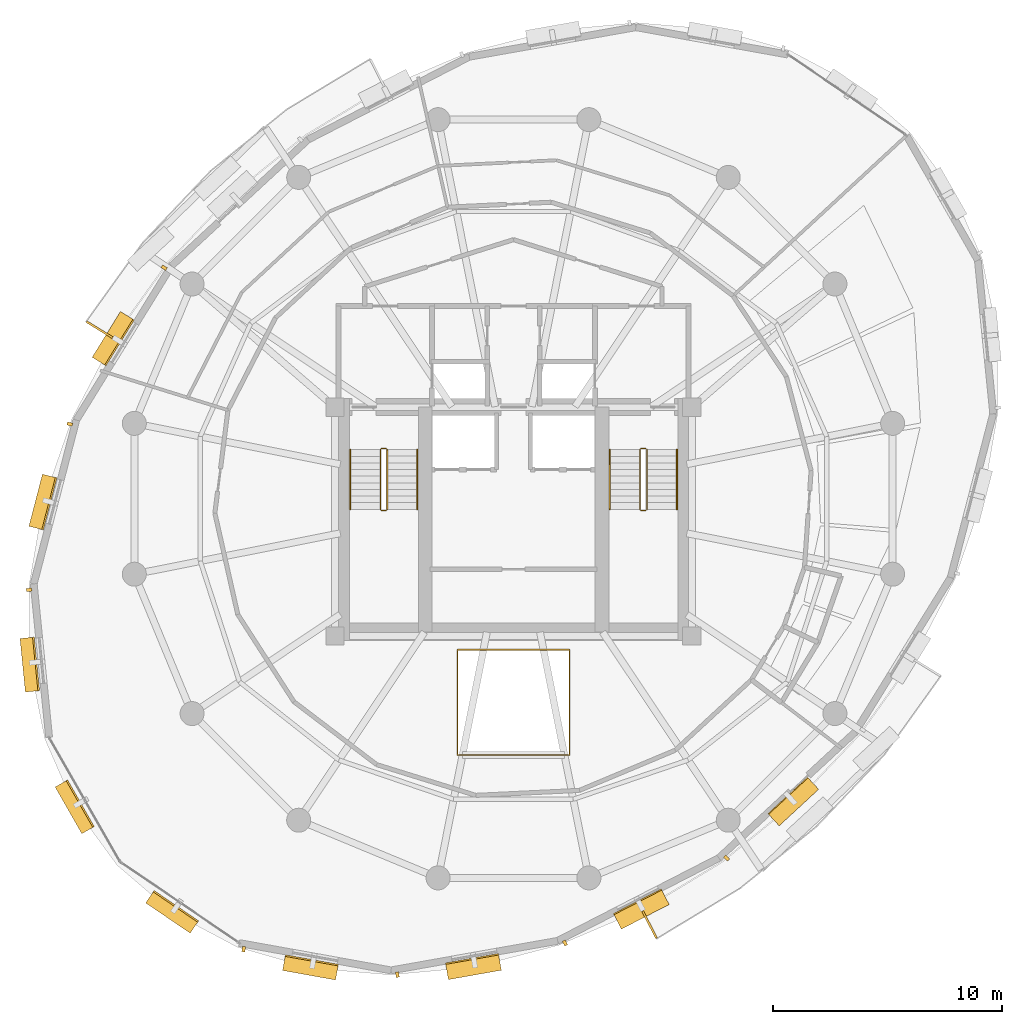
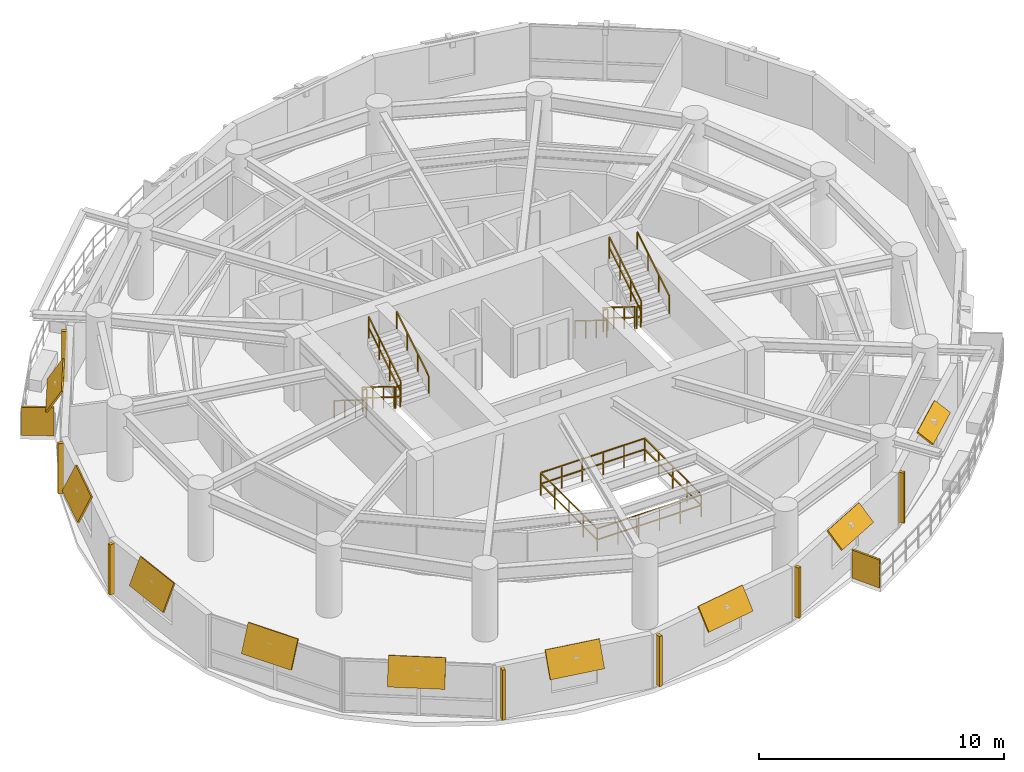
# One storey, part 11 of 12: 18 shading devices, 13 railings.
"""IFC4 building model written with IfcOpenShell, lengths in metres."""

from ifc_helpers import new_model, si_unit, direction, frame, origin, origin_2d, place, context, subcontext, project, spatial, rectangle, extrude, material, layer, layer_set, type_object, element, save


model = new_model("IFC4")

# Units and contexts
model_context = context("Model", 3, precision=1e-05, world=origin(), true_north=direction((0.0, 1.0)))
body_context = subcontext(model_context, "Body", "Model", "MODEL_VIEW")
ifc_project = project(units=[si_unit("LENGTHUNIT", "METRE"), si_unit("AREAUNIT", "SQUARE_METRE"), si_unit("VOLUMEUNIT", "CUBIC_METRE"), si_unit("PLANEANGLEUNIT", "RADIAN"), si_unit("MASSUNIT", "GRAM", prefix="KILO"), si_unit("THERMODYNAMICTEMPERATUREUNIT", "KELVIN"), si_unit("POWERUNIT", "WATT")], contexts=[model_context])

# Site, building, storey
site_placement = place(None, origin())
site = spatial("IfcSite", under=ifc_project, at=site_placement, CompositionType="ELEMENT")
building_placement = place(site_placement, origin())
building = spatial("IfcBuilding", under=site, at=building_placement, Name="Ocrelia Relay Tower", CompositionType="ELEMENT")
storey_placement = place(building_placement, frame((0.0, 0.0, 209.60009765625)))
storey = spatial("IfcBuildingStorey", under=building, at=storey_placement, Name="L51", CompositionType="ELEMENT", Elevation=209.60009765625)

# Railings
ifc_material_1 = material(Name="Steel S355 atrium balustrade", Category="steel")
railing_type_1 = type_object("IfcRailingType", Name="RL-INT-GUARD-115", PredefinedType="GUARDRAIL", material=ifc_material_1)
railing_1_placement = place(storey_placement, frame((31.550048828125, 14.800048828125, 0.0)))
element("IfcRailing", 1, at=railing_1_placement, inside=storey, type_object=railing_type_1, Name="L51 Multi-Zone Interior Atrium Guard", PredefinedType="GUARDRAIL", context=body_context, shape_type="SweptSolid", body=[
    extrude(rectangle(XDim=0.048095703125, YDim=0.048095703125, at=origin_2d()), frame((0.0, 0.0, 1.1259765625), z_axis=(1.0, 0.0, 0.0), x_axis=(0.0, 1.0, 0.0)), (0.0, 0.0, 1.0), 4.89990234375),
    extrude(rectangle(XDim=0.048095703125, YDim=0.048095703125, at=origin_2d()), frame((0.0, 0.0, 0.574951171875), z_axis=(1.0, 0.0, 0.0), x_axis=(0.0, 1.0, 0.0)), (0.0, 0.0, 1.0), 4.89990234375),
    extrude(rectangle(XDim=0.048095703125, YDim=0.048095703125, at=origin_2d()), frame((4.89990234375, 0.0, 1.1259765625), z_axis=(0.0, 1.0, 0.0), x_axis=(-1.0, 0.0, 0.0)), (0.0, 0.0, 1.0), 4.599853515625),
    extrude(rectangle(XDim=0.048095703125, YDim=0.048095703125, at=origin_2d()), frame((4.89990234375, 0.0, 0.574951171875), z_axis=(0.0, 1.0, 0.0), x_axis=(-1.0, 0.0, 0.0)), (0.0, 0.0, 1.0), 4.599853515625),
    extrude(rectangle(XDim=0.048095703125, YDim=0.048095703125, at=origin_2d()), frame((4.89990234375, 4.599853515625, 1.1259765625), z_axis=(-1.0, 0.0, 0.0), x_axis=(0.0, -1.0, 0.0)), (0.0, 0.0, 1.0), 4.89990234375),
    extrude(rectangle(XDim=0.048095703125, YDim=0.048095703125, at=origin_2d()), frame((4.89990234375, 4.599853515625, 0.574951171875), z_axis=(-1.0, 0.0, 0.0), x_axis=(0.0, -1.0, 0.0)), (0.0, 0.0, 1.0), 4.89990234375),
    extrude(rectangle(XDim=0.048095703125, YDim=0.048095703125, at=origin_2d()), frame((0.0, 4.599853515625, 1.1259765625), z_axis=(0.0, -1.0, 0.0), x_axis=(1.0, 0.0, 0.0)), (0.0, 0.0, 1.0), 4.599853515625),
    extrude(rectangle(XDim=0.048095703125, YDim=0.048095703125, at=origin_2d()), frame((0.0, 4.599853515625, 0.574951171875), z_axis=(0.0, -1.0, 0.0), x_axis=(1.0, 0.0, 0.0)), (0.0, 0.0, 1.0), 4.599853515625),
    extrude(rectangle(XDim=0.0419921875, YDim=0.0419921875, at=origin_2d()), origin(), (0.0, 0.0, 1.0), 1.101806640625),
    extrude(rectangle(XDim=0.0419921875, YDim=0.0419921875, at=origin_2d()), frame((0.97998046875, 0.0, 0.0)), (0.0, 0.0, 1.0), 1.101806640625),
    extrude(rectangle(XDim=0.0419921875, YDim=0.0419921875, at=origin_2d()), frame((1.9599609375, 0.0, 0.0)), (0.0, 0.0, 1.0), 1.101806640625),
    extrude(rectangle(XDim=0.0419921875, YDim=0.0419921875, at=origin_2d()), frame((2.93994140625, 0.0, 0.0)), (0.0, 0.0, 1.0), 1.101806640625),
    extrude(rectangle(XDim=0.0419921875, YDim=0.0419921875, at=origin_2d()), frame((3.919921875, 0.0, 0.0)), (0.0, 0.0, 1.0), 1.101806640625),
    extrude(rectangle(XDim=0.0419921875, YDim=0.0419921875, at=origin_2d()), frame((4.89990234375, 0.0, 0.0)), (0.0, 0.0, 1.0), 1.101806640625),
    extrude(rectangle(XDim=0.0419921875, YDim=0.0419921875, at=origin_2d()), frame((4.89990234375, 1.14990234375, 0.0)), (0.0, 0.0, 1.0), 1.101806640625),
    extrude(rectangle(XDim=0.0419921875, YDim=0.0419921875, at=origin_2d()), frame((4.89990234375, 2.2998046875, 0.0)), (0.0, 0.0, 1.0), 1.101806640625),
    extrude(rectangle(XDim=0.0419921875, YDim=0.0419921875, at=origin_2d()), frame((4.89990234375, 3.449951171875, 0.0)), (0.0, 0.0, 1.0), 1.101806640625),
    extrude(rectangle(XDim=0.0419921875, YDim=0.0419921875, at=origin_2d()), frame((4.89990234375, 4.599853515625, 0.0)), (0.0, 0.0, 1.0), 1.101806640625),
    extrude(rectangle(XDim=0.0419921875, YDim=0.0419921875, at=origin_2d()), frame((3.919921875, 4.599853515625, 0.0)), (0.0, 0.0, 1.0), 1.101806640625),
    extrude(rectangle(XDim=0.0419921875, YDim=0.0419921875, at=origin_2d()), frame((2.93994140625, 4.599853515625, 0.0)), (0.0, 0.0, 1.0), 1.101806640625),
    extrude(rectangle(XDim=0.0419921875, YDim=0.0419921875, at=origin_2d()), frame((1.9599609375, 4.599853515625, 0.0)), (0.0, 0.0, 1.0), 1.101806640625),
    extrude(rectangle(XDim=0.0419921875, YDim=0.0419921875, at=origin_2d()), frame((0.97998046875, 4.599853515625, 0.0)), (0.0, 0.0, 1.0), 1.101806640625),
    extrude(rectangle(XDim=0.0419921875, YDim=0.0419921875, at=origin_2d()), frame((0.0, 4.599853515625, 0.0)), (0.0, 0.0, 1.0), 1.101806640625),
    extrude(rectangle(XDim=0.0419921875, YDim=0.0419921875, at=origin_2d()), frame((0.0, 3.449951171875, 0.0)), (0.0, 0.0, 1.0), 1.101806640625),
    extrude(rectangle(XDim=0.0419921875, YDim=0.0419921875, at=origin_2d()), frame((0.0, 2.2998046875, 0.0)), (0.0, 0.0, 1.0), 1.101806640625),
    extrude(rectangle(XDim=0.0419921875, YDim=0.0419921875, at=origin_2d()), frame((0.0, 1.14990234375, 0.0)), (0.0, 0.0, 1.0), 1.101806640625),
])
ifc_material_2 = material(Name="Steel S355 balustrade", Category="steel")
railing_type_2 = type_object("IfcRailingType", Name="RL-STAIR-GUARD", PredefinedType="GUARDRAIL", material=ifc_material_2)
railing_2_placement = place(storey_placement, frame((28.179931640625, 28.14990234375, 0.179931640625)))
element("IfcRailing", 2, at=railing_2_placement, inside=storey, type_object=railing_type_2, Name="L51 ST1 stair guard 1", PredefinedType="GUARDRAIL", context=body_context, shape_type="SweptSolid", body=[
    extrude(rectangle(XDim=0.048095703125, YDim=0.048095703125, at=origin_2d()), frame((0.0, 0.0, 1.076171875), z_axis=(0.0, -0.849646306263, 0.527352969322), x_axis=(1.0, 0.0, 0.0)), (0.0, 0.0, 1.0), 3.07177734375),
    extrude(rectangle(XDim=0.048095703125, YDim=0.048095703125, at=origin_2d()), frame((0.0, 0.0, 0.550048828125), z_axis=(0.0, -0.849646306263, 0.527352969322), x_axis=(1.0, 0.0, 0.0)), (0.0, 0.0, 1.0), 3.07177734375),
    extrude(rectangle(XDim=0.0419921875, YDim=0.0419921875, at=origin_2d()), origin(), (0.0, 0.0, 1.0), 1.052001953125),
    extrude(rectangle(XDim=0.0419921875, YDim=0.0419921875, at=origin_2d()), frame((0.0, -0.869873046875, 0.5400390625)), (0.0, 0.0, 1.0), 1.052001953125),
    extrude(rectangle(XDim=0.0419921875, YDim=0.0419921875, at=origin_2d()), frame((0.0, -1.739990234375, 1.079833984375)), (0.0, 0.0, 1.0), 1.052001953125),
    extrude(rectangle(XDim=0.0419921875, YDim=0.0419921875, at=origin_2d()), frame((0.0, -2.60986328125, 1.619873046875)), (0.0, 0.0, 1.0), 1.052001953125),
])
railing_3_placement = place(storey_placement, frame((28.22998046875, 25.489990234375, 1.7998046875)))
element("IfcRailing", 3, at=railing_3_placement, inside=storey, type_object=railing_type_2, Name="L51 ST1 stair guard 2", PredefinedType="GUARDRAIL", context=body_context, shape_type="SweptSolid", body=[
    extrude(rectangle(XDim=0.048095703125, YDim=0.048095703125, at=origin_2d()), frame((0.0, 0.0, 1.076171875), z_axis=(1.0, 0.0, 0.0), x_axis=(0.0, 1.0, 0.0)), (0.0, 0.0, 1.0), 0.199951171875),
    extrude(rectangle(XDim=0.048095703125, YDim=0.048095703125, at=origin_2d()), frame((0.0, 0.0, 0.550048828125), z_axis=(1.0, 0.0, 0.0), x_axis=(0.0, 1.0, 0.0)), (0.0, 0.0, 1.0), 0.199951171875),
    extrude(rectangle(XDim=0.0419921875, YDim=0.0419921875, at=origin_2d()), origin(), (0.0, 0.0, 1.0), 1.052001953125),
    extrude(rectangle(XDim=0.0419921875, YDim=0.0419921875, at=origin_2d()), frame((0.199951171875, 0.0, 0.0)), (0.0, 0.0, 1.0), 1.052001953125),
])
railing_4_placement = place(storey_placement, frame((28.47998046875, 25.5400390625, 1.97998046875)))
element("IfcRailing", 4, at=railing_4_placement, inside=storey, type_object=railing_type_2, Name="L51 ST1 stair guard 3", PredefinedType="GUARDRAIL", context=body_context, shape_type="SweptSolid", body=[
    extrude(rectangle(XDim=0.048095703125, YDim=0.048095703125, at=origin_2d()), frame((0.0, 0.0, 1.076171875), z_axis=(0.0, 0.849646306263, 0.527352969322), x_axis=(-1.0, 0.0, 0.0)), (0.0, 0.0, 1.0), 3.07177734375),
    extrude(rectangle(XDim=0.048095703125, YDim=0.048095703125, at=origin_2d()), frame((0.0, 0.0, 0.550048828125), z_axis=(0.0, 0.849646306263, 0.527352969322), x_axis=(-1.0, 0.0, 0.0)), (0.0, 0.0, 1.0), 3.07177734375),
    extrude(rectangle(XDim=0.0419921875, YDim=0.0419921875, at=origin_2d()), origin(), (0.0, 0.0, 1.0), 1.052001953125),
    extrude(rectangle(XDim=0.0419921875, YDim=0.0419921875, at=origin_2d()), frame((0.0, 0.869873046875, 0.5400390625)), (0.0, 0.0, 1.0), 1.052001953125),
    extrude(rectangle(XDim=0.0419921875, YDim=0.0419921875, at=origin_2d()), frame((0.0, 1.739990234375, 1.079833984375)), (0.0, 0.0, 1.0), 1.052001953125),
    extrude(rectangle(XDim=0.0419921875, YDim=0.0419921875, at=origin_2d()), frame((0.0, 2.60986328125, 1.619873046875)), (0.0, 0.0, 1.0), 1.052001953125),
])
railing_5_placement = place(storey_placement, frame((28.22998046875, 28.199951171875, 0.0)))
element("IfcRailing", 5, at=railing_5_placement, inside=storey, type_object=railing_type_2, Name="L51 ST1 stair guard 4", PredefinedType="GUARDRAIL", context=body_context, shape_type="SweptSolid", body=[
    extrude(rectangle(XDim=0.048095703125, YDim=0.048095703125, at=origin_2d()), frame((0.0, 0.0, 1.076171875), z_axis=(1.0, 0.0, 0.0), x_axis=(0.0, 1.0, 0.0)), (0.0, 0.0, 1.0), 0.199951171875),
    extrude(rectangle(XDim=0.048095703125, YDim=0.048095703125, at=origin_2d()), frame((0.0, 0.0, 0.550048828125), z_axis=(1.0, 0.0, 0.0), x_axis=(0.0, 1.0, 0.0)), (0.0, 0.0, 1.0), 0.199951171875),
    extrude(rectangle(XDim=0.0419921875, YDim=0.0419921875, at=origin_2d()), origin(), (0.0, 0.0, 1.0), 1.052001953125),
    extrude(rectangle(XDim=0.0419921875, YDim=0.0419921875, at=origin_2d()), frame((0.199951171875, 0.0, 0.0)), (0.0, 0.0, 1.0), 1.052001953125),
])
railing_6_placement = place(storey_placement, frame((39.530029296875, 28.14990234375, 0.179931640625)))
element("IfcRailing", 6, at=railing_6_placement, inside=storey, type_object=railing_type_2, Name="L51 ST2 stair guard 1", PredefinedType="GUARDRAIL", context=body_context, shape_type="SweptSolid", body=[
    extrude(rectangle(XDim=0.048095703125, YDim=0.048095703125, at=origin_2d()), frame((0.0, 0.0, 1.076171875), z_axis=(0.0, -0.849646306263, 0.527352969322), x_axis=(1.0, 0.0, 0.0)), (0.0, 0.0, 1.0), 3.07177734375),
    extrude(rectangle(XDim=0.048095703125, YDim=0.048095703125, at=origin_2d()), frame((0.0, 0.0, 0.550048828125), z_axis=(0.0, -0.849646306263, 0.527352969322), x_axis=(1.0, 0.0, 0.0)), (0.0, 0.0, 1.0), 3.07177734375),
    extrude(rectangle(XDim=0.0419921875, YDim=0.0419921875, at=origin_2d()), origin(), (0.0, 0.0, 1.0), 1.052001953125),
    extrude(rectangle(XDim=0.0419921875, YDim=0.0419921875, at=origin_2d()), frame((0.0, -0.869873046875, 0.5400390625)), (0.0, 0.0, 1.0), 1.052001953125),
    extrude(rectangle(XDim=0.0419921875, YDim=0.0419921875, at=origin_2d()), frame((0.0, -1.739990234375, 1.079833984375)), (0.0, 0.0, 1.0), 1.052001953125),
    extrude(rectangle(XDim=0.0419921875, YDim=0.0419921875, at=origin_2d()), frame((0.0, -2.60986328125, 1.619873046875)), (0.0, 0.0, 1.0), 1.052001953125),
])
railing_7_placement = place(storey_placement, frame((39.580078125, 25.489990234375, 1.7998046875)))
element("IfcRailing", 7, at=railing_7_placement, inside=storey, type_object=railing_type_2, Name="L51 ST2 stair guard 2", PredefinedType="GUARDRAIL", context=body_context, shape_type="SweptSolid", body=[
    extrude(rectangle(XDim=0.048095703125, YDim=0.048095703125, at=origin_2d()), frame((0.0, 0.0, 1.076171875), z_axis=(1.0, 0.0, 0.0), x_axis=(0.0, 1.0, 0.0)), (0.0, 0.0, 1.0), 0.199951171875),
    extrude(rectangle(XDim=0.048095703125, YDim=0.048095703125, at=origin_2d()), frame((0.0, 0.0, 0.550048828125), z_axis=(1.0, 0.0, 0.0), x_axis=(0.0, 1.0, 0.0)), (0.0, 0.0, 1.0), 0.199951171875),
    extrude(rectangle(XDim=0.0419921875, YDim=0.0419921875, at=origin_2d()), origin(), (0.0, 0.0, 1.0), 1.052001953125),
    extrude(rectangle(XDim=0.0419921875, YDim=0.0419921875, at=origin_2d()), frame((0.199951171875, 0.0, 0.0)), (0.0, 0.0, 1.0), 1.052001953125),
])
railing_8_placement = place(storey_placement, frame((39.830078125, 25.5400390625, 1.97998046875)))
element("IfcRailing", 8, at=railing_8_placement, inside=storey, type_object=railing_type_2, Name="L51 ST2 stair guard 3", PredefinedType="GUARDRAIL", context=body_context, shape_type="SweptSolid", body=[
    extrude(rectangle(XDim=0.048095703125, YDim=0.048095703125, at=origin_2d()), frame((0.0, 0.0, 1.076171875), z_axis=(0.0, 0.849646306263, 0.527352969322), x_axis=(-1.0, 0.0, 0.0)), (0.0, 0.0, 1.0), 3.07177734375),
    extrude(rectangle(XDim=0.048095703125, YDim=0.048095703125, at=origin_2d()), frame((0.0, 0.0, 0.550048828125), z_axis=(0.0, 0.849646306263, 0.527352969322), x_axis=(-1.0, 0.0, 0.0)), (0.0, 0.0, 1.0), 3.07177734375),
    extrude(rectangle(XDim=0.0419921875, YDim=0.0419921875, at=origin_2d()), origin(), (0.0, 0.0, 1.0), 1.052001953125),
    extrude(rectangle(XDim=0.0419921875, YDim=0.0419921875, at=origin_2d()), frame((0.0, 0.869873046875, 0.5400390625)), (0.0, 0.0, 1.0), 1.052001953125),
    extrude(rectangle(XDim=0.0419921875, YDim=0.0419921875, at=origin_2d()), frame((0.0, 1.739990234375, 1.079833984375)), (0.0, 0.0, 1.0), 1.052001953125),
    extrude(rectangle(XDim=0.0419921875, YDim=0.0419921875, at=origin_2d()), frame((0.0, 2.60986328125, 1.619873046875)), (0.0, 0.0, 1.0), 1.052001953125),
])
railing_9_placement = place(storey_placement, frame((39.580078125, 28.199951171875, 0.0)))
element("IfcRailing", 9, at=railing_9_placement, inside=storey, type_object=railing_type_2, Name="L51 ST2 stair guard 4", PredefinedType="GUARDRAIL", context=body_context, shape_type="SweptSolid", body=[
    extrude(rectangle(XDim=0.048095703125, YDim=0.048095703125, at=origin_2d()), frame((0.0, 0.0, 1.076171875), z_axis=(1.0, 0.0, 0.0), x_axis=(0.0, 1.0, 0.0)), (0.0, 0.0, 1.0), 0.199951171875),
    extrude(rectangle(XDim=0.048095703125, YDim=0.048095703125, at=origin_2d()), frame((0.0, 0.0, 0.550048828125), z_axis=(1.0, 0.0, 0.0), x_axis=(0.0, 1.0, 0.0)), (0.0, 0.0, 1.0), 0.199951171875),
    extrude(rectangle(XDim=0.0419921875, YDim=0.0419921875, at=origin_2d()), origin(), (0.0, 0.0, 1.0), 1.052001953125),
    extrude(rectangle(XDim=0.0419921875, YDim=0.0419921875, at=origin_2d()), frame((0.199951171875, 0.0, 0.0)), (0.0, 0.0, 1.0), 1.052001953125),
])
ifc_material_3 = material(Name="Steel S355 tubular handrail", Category="steel")
railing_type_3 = type_object("IfcRailingType", Name="RL-STAIR-HAND", PredefinedType="HANDRAIL", material=ifc_material_3)
railing_10_placement = place(storey_placement, frame((26.860107421875, 28.14990234375, 0.179931640625)))
element("IfcRailing", 10, at=railing_10_placement, inside=storey, type_object=railing_type_3, Name="L51 ST1 stair handrail 1", PredefinedType="HANDRAIL", context=body_context, shape_type="SweptSolid", body=[
    extrude(rectangle(XDim=0.048095703125, YDim=0.048095703125, at=origin_2d()), frame((0.0, 0.0, 0.8759765625), z_axis=(0.0, -0.849646306263, 0.527352969322), x_axis=(1.0, 0.0, 0.0)), (0.0, 0.0, 1.0), 3.07177734375),
    extrude(rectangle(XDim=0.0419921875, YDim=0.0419921875, at=origin_2d()), origin(), (0.0, 0.0, 1.0), 0.851806640625),
    extrude(rectangle(XDim=0.0419921875, YDim=0.0419921875, at=origin_2d()), frame((0.0, -0.869873046875, 0.5400390625)), (0.0, 0.0, 1.0), 0.851806640625),
    extrude(rectangle(XDim=0.0419921875, YDim=0.0419921875, at=origin_2d()), frame((0.0, -1.739990234375, 1.079833984375)), (0.0, 0.0, 1.0), 0.851806640625),
    extrude(rectangle(XDim=0.0419921875, YDim=0.0419921875, at=origin_2d()), frame((0.0, -2.60986328125, 1.619873046875)), (0.0, 0.0, 1.0), 0.851806640625),
])
railing_11_placement = place(storey_placement, frame((29.800048828125, 25.5400390625, 1.97998046875)))
element("IfcRailing", 11, at=railing_11_placement, inside=storey, type_object=railing_type_3, Name="L51 ST1 stair handrail 2", PredefinedType="HANDRAIL", context=body_context, shape_type="SweptSolid", body=[
    extrude(rectangle(XDim=0.048095703125, YDim=0.048095703125, at=origin_2d()), frame((0.0, 0.0, 0.8759765625), z_axis=(0.0, 0.849646306263, 0.527352969322), x_axis=(-1.0, 0.0, 0.0)), (0.0, 0.0, 1.0), 3.07177734375),
    extrude(rectangle(XDim=0.0419921875, YDim=0.0419921875, at=origin_2d()), origin(), (0.0, 0.0, 1.0), 0.851806640625),
    extrude(rectangle(XDim=0.0419921875, YDim=0.0419921875, at=origin_2d()), frame((0.0, 0.869873046875, 0.5400390625)), (0.0, 0.0, 1.0), 0.851806640625),
    extrude(rectangle(XDim=0.0419921875, YDim=0.0419921875, at=origin_2d()), frame((0.0, 1.739990234375, 1.079833984375)), (0.0, 0.0, 1.0), 0.851806640625),
    extrude(rectangle(XDim=0.0419921875, YDim=0.0419921875, at=origin_2d()), frame((0.0, 2.60986328125, 1.619873046875)), (0.0, 0.0, 1.0), 0.851806640625),
])
railing_12_placement = place(storey_placement, frame((38.2099609375, 28.14990234375, 0.179931640625)))
element("IfcRailing", 12, at=railing_12_placement, inside=storey, type_object=railing_type_3, Name="L51 ST2 stair handrail 1", PredefinedType="HANDRAIL", context=body_context, shape_type="SweptSolid", body=[
    extrude(rectangle(XDim=0.048095703125, YDim=0.048095703125, at=origin_2d()), frame((0.0, 0.0, 0.8759765625), z_axis=(0.0, -0.849646306263, 0.527352969322), x_axis=(1.0, 0.0, 0.0)), (0.0, 0.0, 1.0), 3.07177734375),
    extrude(rectangle(XDim=0.0419921875, YDim=0.0419921875, at=origin_2d()), origin(), (0.0, 0.0, 1.0), 0.851806640625),
    extrude(rectangle(XDim=0.0419921875, YDim=0.0419921875, at=origin_2d()), frame((0.0, -0.869873046875, 0.5400390625)), (0.0, 0.0, 1.0), 0.851806640625),
    extrude(rectangle(XDim=0.0419921875, YDim=0.0419921875, at=origin_2d()), frame((0.0, -1.739990234375, 1.079833984375)), (0.0, 0.0, 1.0), 0.851806640625),
    extrude(rectangle(XDim=0.0419921875, YDim=0.0419921875, at=origin_2d()), frame((0.0, -2.60986328125, 1.619873046875)), (0.0, 0.0, 1.0), 0.851806640625),
])
railing_13_placement = place(storey_placement, frame((41.14990234375, 25.5400390625, 1.97998046875)))
element("IfcRailing", 13, at=railing_13_placement, inside=storey, type_object=railing_type_3, Name="L51 ST2 stair handrail 2", PredefinedType="HANDRAIL", context=body_context, shape_type="SweptSolid", body=[
    extrude(rectangle(XDim=0.048095703125, YDim=0.048095703125, at=origin_2d()), frame((0.0, 0.0, 0.8759765625), z_axis=(0.0, 0.849646306263, 0.527352969322), x_axis=(-1.0, 0.0, 0.0)), (0.0, 0.0, 1.0), 3.07177734375),
    extrude(rectangle(XDim=0.0419921875, YDim=0.0419921875, at=origin_2d()), origin(), (0.0, 0.0, 1.0), 0.851806640625),
    extrude(rectangle(XDim=0.0419921875, YDim=0.0419921875, at=origin_2d()), frame((0.0, 0.869873046875, 0.5400390625)), (0.0, 0.0, 1.0), 0.851806640625),
    extrude(rectangle(XDim=0.0419921875, YDim=0.0419921875, at=origin_2d()), frame((0.0, 1.739990234375, 1.079833984375)), (0.0, 0.0, 1.0), 0.851806640625),
    extrude(rectangle(XDim=0.0419921875, YDim=0.0419921875, at=origin_2d()), frame((0.0, 2.60986328125, 1.619873046875)), (0.0, 0.0, 1.0), 0.851806640625),
])

# Shading devices
ifc_material_4 = material(Name="Perforated oxide terracotta solar screen", Category="masonry")
ifc_layer_1 = layer(ifc_material_4, 0.090087890625, Name="Perforated oxide terracotta solar screen")
ifc_layer_set_1 = layer_set([ifc_layer_1], Name="Perforated oxide terracotta solar screen")
shading_device_type_1 = type_object("IfcShadingDeviceType", Name="SH-BALC-SCREEN", PredefinedType="USERDEFINED", material=ifc_layer_set_1)
for number, where, z_axis, x_axis, name in (
    (14, (15.908447265625, 33.3916015625, 0.0), (0.0, 0.0, 1.0), (-0.851702666048, 0.524025351149, 0.0), "L51 Balcony Perforated Terracotta Screen B1-2"),
    (15, (39.94921875, 7.38427734375, 0.0), (0.0, 0.0, 1.0), (0.455633199369, -0.890167617718, 0.0), "L51 Balcony Perforated Terracotta Screen B2-1"),
):
    element("IfcShadingDevice", number, at=place(storey_placement, frame(where, z_axis=z_axis, x_axis=x_axis)), inside=storey, type_object=shading_device_type_1, Name=name, ObjectType="SCREEN", PredefinedType="USERDEFINED", context=body_context, shape_type="SweptSolid", body=[
        extrude(rectangle(XDim=1.340087890625, YDim=0.090087890625, at=origin_2d()), origin(), (0.0, 0.0, 1.0), 1.39990234375),
    ])
ifc_material_5 = material(Name="Extruded oxide terracotta vertical baguette", Category="masonry")
shading_device_type_2 = type_object("IfcShadingDeviceType", Name="SH-TERR-BAGUETTE", PredefinedType="USERDEFINED", material=ifc_material_5)
for number, where, z_axis, x_axis, name in (
    (16, (18.728515625, 36.10302734375, 0.079833984375), (0.0, 0.0, 1.0), (-0.525338443164, -0.850893365901, 0.0), "L51 Oxide Terracotta Vertical Baguette 06"),
    (17, (14.602783203125, 29.266845703125, 0.079833984375), (0.0, 0.0, 1.0), (-0.251310705455, -0.967906467239, 0.0), "L51 Oxide Terracotta Vertical Baguette 07"),
    (18, (12.82177734375, 22.01953125, 0.079833984375), (0.0, 0.0, 1.0), (0.099436195657, -0.995043940232, 0.0), "L51 Oxide Terracotta Vertical Baguette 08"),
    (19, (22.204345703125, 6.309326171875, 0.079833984375), (0.0, 0.0, 1.0), (0.984177998665, -0.177182580813, 0.0), "L51 Oxide Terracotta Vertical Baguette 11"),
    (20, (28.923583984375, 5.198486328125, 0.079833984375), (0.0, 0.0, 1.0), (0.984641974301, 0.174585745251, 0.0), "L51 Oxide Terracotta Vertical Baguette 12"),
    (21, (36.249755859375, 6.579833984375, 0.079833984375), (0.0, 0.0, 1.0), (0.889484152815, 0.45696601831, 0.0), "L51 Oxide Terracotta Vertical Baguette 13"),
    (22, (43.314453125, 10.291015625, 0.079833984375), (0.0, 0.0, 1.0), (0.73432773134, 0.678795096465, 0.0), "L51 Oxide Terracotta Vertical Baguette 14"),
):
    element("IfcShadingDevice", number, at=place(storey_placement, frame(where, z_axis=z_axis, x_axis=x_axis)), inside=storey, type_object=shading_device_type_2, Name=name, ObjectType="BAGUETTE", PredefinedType="USERDEFINED", context=body_context, shape_type="SweptSolid", body=[
        extrude(rectangle(XDim=0.139892578125, YDim=0.239990234375, at=origin_2d()), origin(), (0.0, 0.0, 1.0), 2.5),
    ])
ifc_material_6 = material(Name="Extruded oxide terracotta fin", Category="masonry")
ifc_layer_2 = layer(ifc_material_6, 0.080078125, Name="Extruded oxide terracotta fin")
ifc_layer_set_2 = layer_set([ifc_layer_2], Name="Extruded oxide terracotta fin")
shading_device_type_3 = type_object("IfcShadingDeviceType", Name="SH-VISOR-FIN-DEEP", PredefinedType="USERDEFINED", material=ifc_layer_set_2)
shading_device_1_placement = place(storey_placement, frame((16.5302734375, 32.98291015625, 2.47900390625), z_axis=(-0.724962148191, 0.447588971246, 0.523539870984), x_axis=(-0.525338443164, -0.850893365901, 0.0)))
element("IfcShadingDevice", 23, at=shading_device_1_placement, inside=storey, type_object=shading_device_type_3, Name="L51 Canted Terracotta Sun-Visor Fin 06", ObjectType="FIN", PredefinedType="USERDEFINED", context=body_context, shape_type="SweptSolid", body=[
    extrude(rectangle(XDim=2.35009765625, YDim=1.22412109375, at=origin_2d()), origin(), (0.0, 0.0, 1.0), 0.080078125),
])
shading_device_2_placement = place(storey_placement, frame((13.462890625, 25.8486328125, 2.482421875), z_axis=(-0.868611294413, 0.225529350772, 0.441192623644), x_axis=(-0.251310705455, -0.967906467239, 0.0)))
element("IfcShadingDevice", 24, at=shading_device_2_placement, inside=storey, type_object=shading_device_type_3, Name="L51 Canted Terracotta Sun-Visor Fin 07", ObjectType="FIN", PredefinedType="USERDEFINED", context=body_context, shape_type="SweptSolid", body=[
    extrude(rectangle(XDim=2.35009765625, YDim=1.31396484375, at=origin_2d()), origin(), (0.0, 0.0, 1.0), 0.080078125),
])
shading_device_3_placement = place(storey_placement, frame((12.89013671875, 18.7548828125, 2.483642578125), z_axis=(-0.908097250276, -0.090747485817, 0.408808363244), x_axis=(0.099436195657, -0.995043940232, 0.0)))
element("IfcShadingDevice", 25, at=shading_device_3_placement, inside=storey, type_object=shading_device_type_3, Name="L51 Canted Terracotta Sun-Visor Fin 08", ObjectType="FIN", PredefinedType="USERDEFINED", context=body_context, shape_type="SweptSolid", body=[
    extrude(rectangle(XDim=2.35009765625, YDim=1.347900390625, at=origin_2d()), origin(), (0.0, 0.0, 1.0), 0.080078125),
])
shading_device_4_placement = place(storey_placement, frame((14.849853515625, 12.552734375, 2.4833984375), z_axis=(-0.790681708566, -0.452284145939, 0.412627540369), x_axis=(0.496524565709, -0.868022670008, 0.0)))
element("IfcShadingDevice", 26, at=shading_device_4_placement, inside=storey, type_object=shading_device_type_3, Name="L51 Canted Terracotta Sun-Visor Fin 09", ObjectType="FIN", PredefinedType="USERDEFINED", context=body_context, shape_type="SweptSolid", body=[
    extrude(rectangle(XDim=2.35009765625, YDim=1.343994140625, at=origin_2d()), origin(), (0.0, 0.0, 1.0), 0.080078125),
])
shading_device_5_placement = place(storey_placement, frame((19.097412109375, 7.970458984375, 2.482177734375), z_axis=(-0.504678797803, -0.740655864723, 0.443540529265), x_axis=(0.826390290705, -0.563097760098, 0.0)))
element("IfcShadingDevice", 27, at=shading_device_5_placement, inside=storey, type_object=shading_device_type_3, Name="L51 Canted Terracotta Sun-Visor Fin 10", ObjectType="FIN", PredefinedType="USERDEFINED", context=body_context, shape_type="SweptSolid", body=[
    extrude(rectangle(XDim=2.35009765625, YDim=1.31103515625, at=origin_2d()), origin(), (0.0, 0.0, 1.0), 0.080078125),
])
shading_device_6_placement = place(storey_placement, frame((25.131591796875, 5.547119140625, 2.47998046875), z_axis=(-0.153367247189, -0.851893395541, 0.500755559253), x_axis=(0.984177998665, -0.177182580813, 0.0)))
element("IfcShadingDevice", 28, at=shading_device_6_placement, inside=storey, type_object=shading_device_type_3, Name="L51 Canted Terracotta Sun-Visor Fin 11", ObjectType="FIN", PredefinedType="USERDEFINED", context=body_context, shape_type="SweptSolid", body=[
    extrude(rectangle(XDim=2.35009765625, YDim=1.2490234375, at=origin_2d()), origin(), (0.0, 0.0, 1.0), 0.080078125),
])
ifc_layer_3 = layer(ifc_material_6, 0.080078125, Name="Extruded oxide terracotta fin")
ifc_layer_set_3 = layer_set([ifc_layer_3], Name="Extruded oxide terracotta fin")
shading_device_type_4 = type_object("IfcShadingDeviceType", Name="SH-VISOR-FIN-MED", PredefinedType="USERDEFINED", material=ifc_layer_set_3)
shading_device_7_placement = place(storey_placement, frame((32.242431640625, 5.5810546875, 2.4765625), z_axis=(0.141171158944, -0.796187847164, 0.588349909417), x_axis=(0.984641974301, 0.174585745251, 0.0)))
element("IfcShadingDevice", 29, at=shading_device_7_placement, inside=storey, type_object=shading_device_type_4, Name="L51 Canted Terracotta Sun-Visor Fin 12", ObjectType="FIN", PredefinedType="USERDEFINED", context=body_context, shape_type="SweptSolid", body=[
    extrude(rectangle(XDim=2.35009765625, YDim=1.14892578125, at=origin_2d()), origin(), (0.0, 0.0, 1.0), 0.080078125),
])
shading_device_8_placement = place(storey_placement, frame((39.574951171875, 8.090087890625, 2.4716796875), z_axis=(0.324305907781, -0.631261306261, 0.704510355776), x_axis=(0.889484152815, 0.45696601831, 0.0)))
element("IfcShadingDevice", 30, at=shading_device_8_placement, inside=storey, type_object=shading_device_type_4, Name="L51 Canted Terracotta Sun-Visor Fin 13", ObjectType="FIN", PredefinedType="USERDEFINED", context=body_context, shape_type="SweptSolid", body=[
    extrude(rectangle(XDim=2.35009765625, YDim=1.00390625, at=origin_2d()), origin(), (0.0, 0.0, 1.0), 0.080078125),
])
shading_device_9_placement = place(storey_placement, frame((46.216552734375, 12.784423828125, 2.467041015625), z_axis=(0.386229323233, -0.417826976334, 0.82234270698), x_axis=(0.73432773134, 0.678795096465, 0.0)))
element("IfcShadingDevice", 31, at=shading_device_9_placement, inside=storey, type_object=shading_device_type_4, Name="L51 Canted Terracotta Sun-Visor Fin 14", ObjectType="FIN", PredefinedType="USERDEFINED", context=body_context, shape_type="SweptSolid", body=[
    extrude(rectangle(XDim=2.35009765625, YDim=0.827880859375, at=origin_2d()), origin(), (0.0, 0.0, 1.0), 0.080078125),
])

save(model, "model.ifc")
